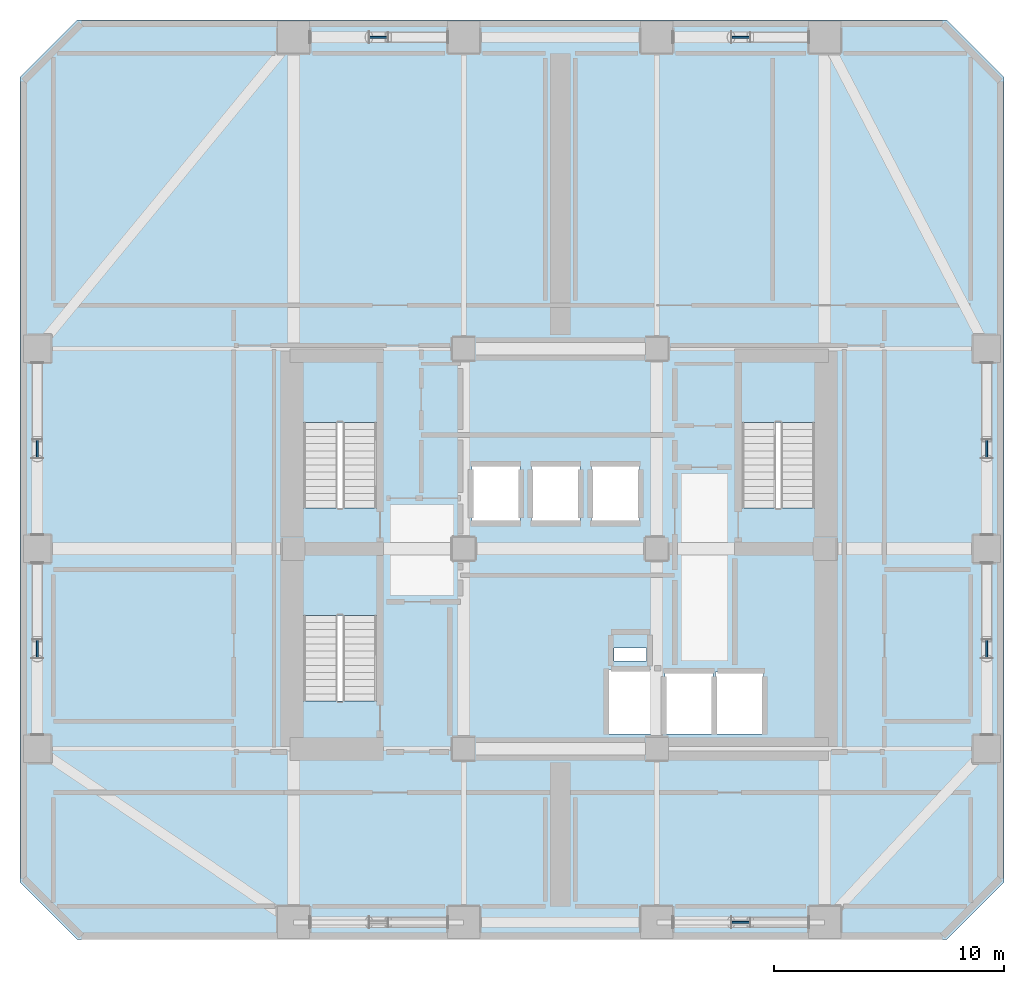
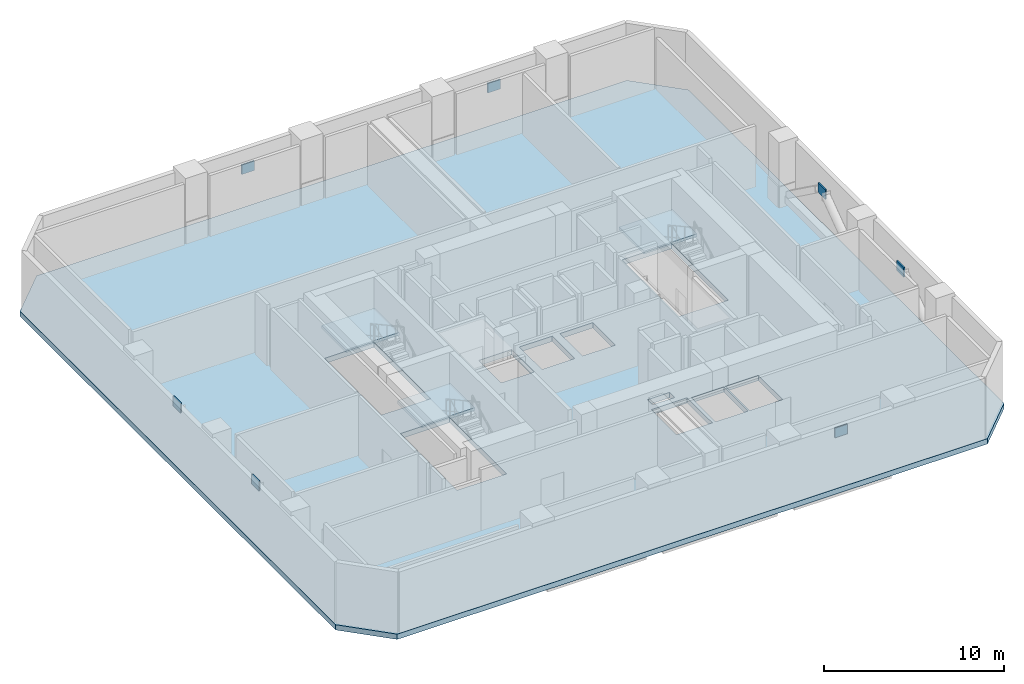
# One storey, part 2 of 11: 7 plates, 4 slabs, 3 elements without a shape of their own.
"""IFC4 building model written with IfcOpenShell, lengths in metres."""

from ifc_helpers import new_model, si_unit, direction, frame, origin, origin_2d, place, context, subcontext, project, spatial, polyline, rectangle, outline, extrude, material, layer, layer_set, type_object, element, aggregate, save


model = new_model("IFC4")

# Units and contexts
model_context = context("Model", 3, precision=1e-05, world=origin(), true_north=direction((0.0, 1.0)))
body_context = subcontext(model_context, "Body", "Model", "MODEL_VIEW")
ifc_project = project(units=[si_unit("LENGTHUNIT", "METRE"), si_unit("AREAUNIT", "SQUARE_METRE"), si_unit("VOLUMEUNIT", "CUBIC_METRE"), si_unit("PLANEANGLEUNIT", "RADIAN"), si_unit("MASSUNIT", "GRAM", prefix="KILO")], contexts=[model_context])

# Site, building, storey
site_placement = place(None, origin())
site = spatial("IfcSite", under=ifc_project, at=site_placement, CompositionType="ELEMENT")
building_placement = place(site_placement, origin())
building = spatial("IfcBuilding", under=site, at=building_placement, Name="Solanera Arch Residences", CompositionType="ELEMENT")
storey_placement = place(building_placement, frame((0.0, 0.0, 88.39990234375)))
storey = spatial("IfcBuildingStorey", under=building, at=storey_placement, Name="L25", CompositionType="ELEMENT", Elevation=88.39990234375)

# Plates
ifc_material_1 = material(Name="Steel S355 (ASTM A992 / A572 Grade 50)", Category="steel")
ifc_layer_1 = layer(ifc_material_1, 0.080078125)
ifc_layer_set_1 = layer_set([ifc_layer_1], Name="Steel S355 (ASTM A992 / A572 Grade 50)")
plate_type = type_object("IfcPlateType", Name="Gusset Plate GP-80B", PredefinedType="USERDEFINED", material=ifc_layer_set_1)
for number, where, z_axis, x_axis, name in (
    (1, (32.85009765625, 14.449951171875, 2.89013671875), (0.0, 0.0, 1.0), (1.0, 0.0, 0.0), "L25 Belt Truss Apex Gusset GP-80 2"),
    (2, (17.10009765625, 52.949951171875, 2.89013671875), (0.0, 0.0, 1.0), (1.0, 0.0, 0.0), "L25 Belt Truss Apex Gusset GP-80 3"),
    (3, (32.85009765625, 52.949951171875, 2.89013671875), (0.0, 0.0, 1.0), (1.0, 0.0, 0.0), "L25 Belt Truss Apex Gusset GP-80 4"),
):
    element("IfcPlate", number, at=place(storey_placement, frame(where, z_axis=z_axis, x_axis=x_axis)), inside=storey, type_object=plate_type, Name=name, ObjectType="GUSSET", PredefinedType="USERDEFINED", context=body_context, shape_type="SweptSolid", body=[
        extrude(rectangle(XDim=0.800048828125, YDim=0.080078125, at=origin_2d()), origin(), (0.0, 0.0, 1.0), 0.64990234375),
    ])
for number, where, z_axis, x_axis, name in (
    (4, (2.25, 26.35009765625, 2.89013671875), (0.0, 0.0, 1.0), (1.0, 0.0, 0.0), "L25 Belt Truss Apex Gusset GP-80 5"),
    (5, (2.25, 35.050048828125, 2.89013671875), (0.0, 0.0, 1.0), (1.0, 0.0, 0.0), "L25 Belt Truss Apex Gusset GP-80 6"),
    (6, (43.550048828125, 26.35009765625, 2.89013671875), (0.0, 0.0, 1.0), (1.0, 0.0, 0.0), "L25 Belt Truss Apex Gusset GP-80 7"),
    (7, (43.550048828125, 35.050048828125, 2.89013671875), (0.0, 0.0, 1.0), (1.0, 0.0, 0.0), "L25 Belt Truss Apex Gusset GP-80 8"),
):
    element("IfcPlate", number, at=place(storey_placement, frame(where, z_axis=z_axis, x_axis=x_axis)), inside=storey, type_object=plate_type, Name=name, ObjectType="GUSSET", PredefinedType="USERDEFINED", context=body_context, shape_type="SweptSolid", body=[
        extrude(rectangle(XDim=0.080078125, YDim=0.800048828125, at=origin_2d()), origin(), (0.0, 0.0, 1.0), 0.64990234375),
    ])

# Stair, slab
ifc_material_2 = material(Name="Concrete C40/50 (f'c = 45 MPa)", Category="concrete")
stair_type = type_object("IfcStairType", Name="Tower Dogleg Exit Stair 1480", PredefinedType="HALF_TURN_STAIR", material=ifc_material_2)
stair_1_placement = place(storey_placement, origin())
stair_1 = element("IfcStair", 8, at=stair_1_placement, inside=storey, type_object=stair_type, Name="L25 Tower Core Exit Stair 1", PredefinedType="HALF_TURN_STAIR")
ifc_material_3 = material(Name="Concrete C40/50 (f'c = 45 MPa)", Category="concrete")
ifc_layer_2 = layer(ifc_material_3, 0.199951171875)
ifc_layer_set_2 = layer_set([ifc_layer_2], Name="Concrete C40/50 (f'c = 45 MPa)")
slab_type_1 = type_object("IfcSlabType", Name="Stair Half-Landing Slab 200", PredefinedType="LANDING", material=ifc_layer_set_2)
slab_1_placement = place(storey_placement, frame((0.0, 0.0, 2.0)))
slab_1 = element("IfcSlab", 9, at=slab_1_placement, type_object=slab_type_1, Name="ST-T1 landing 1", PredefinedType="LANDING", context=body_context, shape_type="SweptSolid", body=[
    extrude(outline(polyline([(17.1201171875, 36.18994140625), (17.1201171875, 38.919921875), (13.719970703125, 38.919921875), (13.719970703125, 36.18994140625), (17.1201171875, 36.18994140625)])), origin(), (0.0, 0.0, 1.0), 0.2001953125),
])
aggregate(stair_1, [slab_1])

stair_2_placement = place(storey_placement, origin())
stair_2 = element("IfcStair", 10, at=stair_2_placement, inside=storey, type_object=stair_type, Name="L25 Tower Core Exit Stair 2", PredefinedType="HALF_TURN_STAIR")
slab_2_placement = place(storey_placement, frame((0.0, 0.0, 2.0)))
slab_2 = element("IfcSlab", 11, at=slab_2_placement, type_object=slab_type_1, Name="ST-T2 landing 1", PredefinedType="LANDING", context=body_context, shape_type="SweptSolid", body=[
    extrude(outline(polyline([(36.179931640625, 36.18994140625), (36.179931640625, 38.919921875), (32.780029296875, 38.919921875), (32.780029296875, 36.18994140625), (36.179931640625, 36.18994140625)])), origin(), (0.0, 0.0, 1.0), 0.2001953125),
])
aggregate(stair_2, [slab_2])

stair_3_placement = place(storey_placement, origin())
stair_3 = element("IfcStair", 12, at=stair_3_placement, inside=storey, type_object=stair_type, Name="L25 Tower Core Exit Stair 3", PredefinedType="HALF_TURN_STAIR")
slab_3_placement = place(storey_placement, frame((0.0, 0.0, 2.0)))
slab_3 = element("IfcSlab", 13, at=slab_3_placement, type_object=slab_type_1, Name="ST-T3 landing 1", PredefinedType="LANDING", context=body_context, shape_type="SweptSolid", body=[
    extrude(outline(polyline([(17.1201171875, 27.7900390625), (17.1201171875, 30.52001953125), (13.719970703125, 30.52001953125), (13.719970703125, 27.7900390625), (17.1201171875, 27.7900390625)])), origin(), (0.0, 0.0, 1.0), 0.2001953125),
])
aggregate(stair_3, [slab_3])

# Slab
ifc_material_4 = material(Name="Concrete C40/50 (f'c = 45 MPa)", Category="concrete")
ifc_layer_3 = layer(ifc_material_4, 0.360107421875)
ifc_layer_set_3 = layer_set([ifc_layer_3], Name="Concrete C40/50 (f'c = 45 MPa)")
slab_type_2 = type_object("IfcSlabType", Name="Suspended Floor Slab Post-Tensioned 360", PredefinedType="FLOOR", material=ifc_layer_set_3)
slab_4_placement = place(storey_placement, frame((0.0, 0.0, -0.35986328125)))
element("IfcSlab", 14, at=slab_4_placement, inside=storey, type_object=slab_type_2, Name="L25 Tower Post-Tensioned Floor Slab", PredefinedType="FLOOR", context=body_context, shape_type="SweptSolid", body=[
    extrude(outline(polyline([(4.0, 13.699951171875), (41.800048828125, 13.699951171875), (44.300048828125, 16.199951171875), (44.300048828125, 51.199951171875), (41.800048828125, 53.699951171875), (4.0, 53.699951171875), (1.5, 51.199951171875), (1.5, 16.199951171875), (4.0, 13.699951171875)]), holes=[polyline([(13.840087890625, 32.48291015625), (13.840087890625, 38.800048828125), (17.0, 38.800048828125), (17.0, 32.48291015625), (13.840087890625, 32.48291015625)]), polyline([(32.89990234375, 32.48291015625), (32.89990234375, 38.800048828125), (36.06005859375, 38.800048828125), (36.06005859375, 32.48291015625), (32.89990234375, 32.48291015625)]), polyline([(13.840087890625, 24.0830078125), (13.840087890625, 30.39990234375), (17.0, 30.39990234375), (17.0, 24.0830078125), (13.840087890625, 24.0830078125)]), polyline([(21.14990234375, 34.35009765625), (23.25, 34.35009765625), (23.25, 31.85009765625), (21.14990234375, 31.85009765625), (21.14990234375, 34.35009765625)]), polyline([(23.75, 34.35009765625), (25.85009765625, 34.35009765625), (25.85009765625, 31.85009765625), (23.75, 31.85009765625), (23.75, 34.35009765625)]), polyline([(26.35009765625, 34.35009765625), (28.449951171875, 34.35009765625), (28.449951171875, 31.85009765625), (26.35009765625, 31.85009765625), (26.35009765625, 34.35009765625)]), polyline([(29.550048828125, 25.35009765625), (31.64990234375, 25.35009765625), (31.64990234375, 22.64990234375), (29.550048828125, 22.64990234375), (29.550048828125, 25.35009765625)]), polyline([(31.75, 25.35009765625), (33.85009765625, 25.35009765625), (33.85009765625, 22.64990234375), (31.75, 22.64990234375), (31.75, 25.35009765625)]), polyline([(27.050048828125, 25.449951171875), (29.35009765625, 25.449951171875), (29.35009765625, 22.64990234375), (27.050048828125, 22.64990234375), (27.050048828125, 25.449951171875)]), polyline([(27.340087890625, 26.3798828125), (28.760009765625, 26.3798828125), (28.760009765625, 25.820068359375), (27.340087890625, 25.820068359375), (27.340087890625, 26.3798828125)])]), origin(), (0.0, 0.0, 1.0), 0.35986328125),
])

save(model, "model.ifc")
